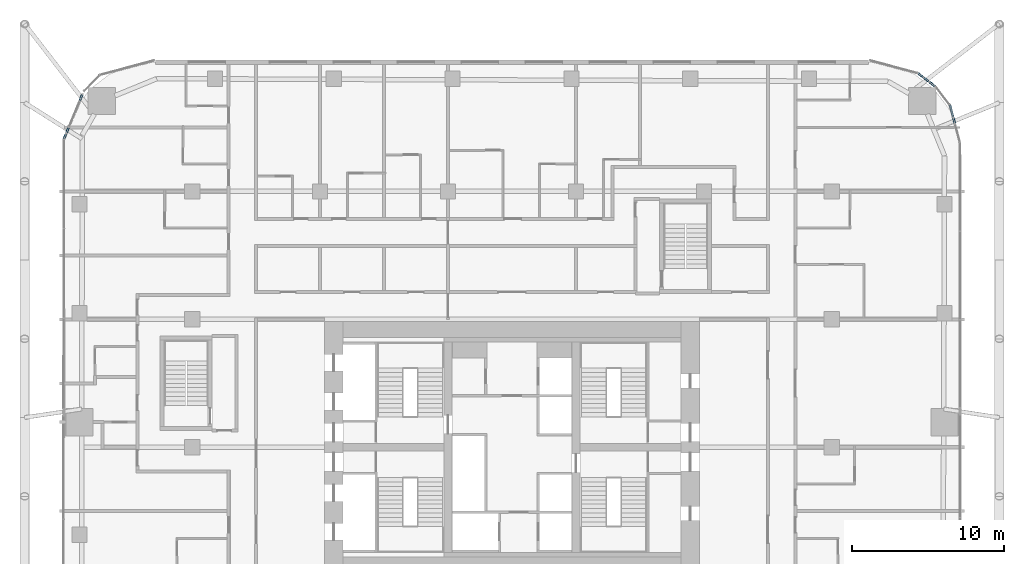
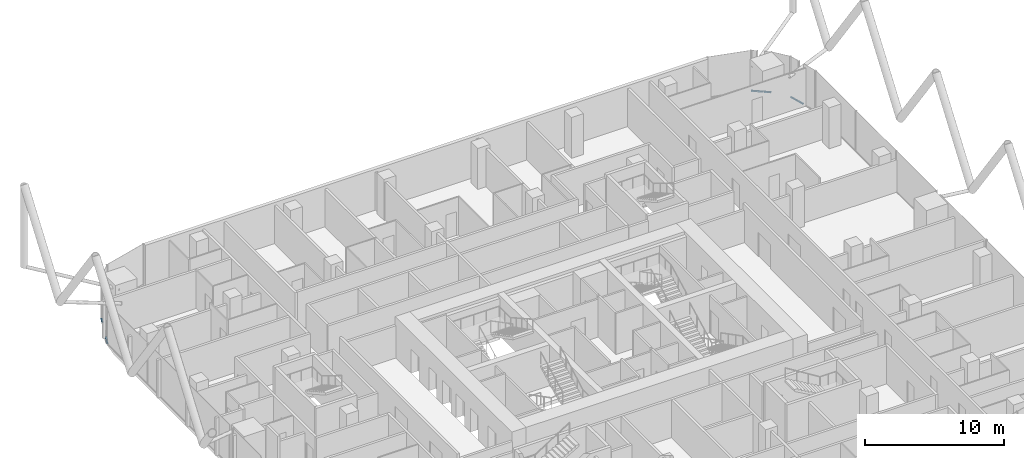
# One storey, part 18 of 38: 8 members, 8 elements without a shape of their own.
"""IFC4 building model written with IfcOpenShell, lengths in metres."""

from ifc_helpers import new_model, si_unit, direction, frame, origin, origin_2d, place, context, subcontext, project, spatial, rectangle, extrude, material, layer, layer_set, material_profile, profile_set, type_object, element, aggregate, save


model = new_model("IFC4")

# Units and contexts
model_context = context("Model", 3, precision=1e-05, world=origin(), true_north=direction((0.0, 1.0)))
body_context = subcontext(model_context, "Body", "Model", "MODEL_VIEW")
ifc_project = project(units=[si_unit("LENGTHUNIT", "METRE"), si_unit("AREAUNIT", "SQUARE_METRE"), si_unit("VOLUMEUNIT", "CUBIC_METRE"), si_unit("PLANEANGLEUNIT", "RADIAN"), si_unit("MASSUNIT", "GRAM", prefix="KILO")], contexts=[model_context])

# Site, building, storey
site_placement = place(None, origin())
site = spatial("IfcSite", under=ifc_project, at=site_placement, CompositionType="ELEMENT")
building_placement = place(site_placement, origin())
building = spatial("IfcBuilding", under=site, at=building_placement, Name="Marenta Gate Hotel Tower", CompositionType="ELEMENT")
storey_placement = place(building_placement, frame((0.0, 0.0, 54.5)))
storey = spatial("IfcBuildingStorey", under=building, at=storey_placement, Name="L11", CompositionType="ELEMENT", Elevation=54.5)

# Curtain wall, member
ifc_material_1 = material(Name="Tinted insulated glass in bronze anodised frame", Category="glass")
ifc_layer = layer(ifc_material_1, 0.1201171875)
ifc_layer_set = layer_set([ifc_layer], Name="Tinted insulated glass in bronze anodised frame")
curtain_wall_type = type_object("IfcCurtainWallType", Name="Tower unitised curtain wall CW1", PredefinedType="NOTDEFINED", material=ifc_layer_set)
curtain_wall_1_placement = place(storey_placement, origin())
curtain_wall_1 = element("IfcCurtainWall", 1, at=curtain_wall_1_placement, inside=storey, type_object=curtain_wall_type, Name="CW1 run G02", PredefinedType="NOTDEFINED")
ifc_material_2 = material(Name="Bronze anodised aluminium", Category="aluminium")
ifc_material_profile = material_profile(ifc_material_2, rectangle(XDim=0.1201171875, YDim=0.06005859375, at=origin_2d()), Name="Transom CW1 60x120 bronze anodised aluminium")
ifc_profile_set = profile_set([ifc_material_profile], Name="Bronze anodised aluminium")
member_type = type_object("IfcMemberType", Name="Transom CW1 60x120 bronze anodised aluminium", PredefinedType="USERDEFINED", material=ifc_profile_set)
member_1_placement = place(storey_placement, frame((-28.208984375, 31.5712890625, 0.030029296875), z_axis=(-0.382927081121, -0.923778572248, 0.0), x_axis=(0.923778572248, -0.382927081121, 0.0)))
member_1 = element("IfcMember", 2, at=member_1_placement, type_object=member_type, Name="CW1 transom 1.1", ObjectType="TRANSOM", PredefinedType="USERDEFINED", context=body_context, shape_type="SweptSolid", body=[
    extrude(rectangle(XDim=0.1201171875, YDim=0.06005859375, at=origin_2d()), origin(), (0.0, 0.0, 1.0), 0.462158203125),
])
aggregate(curtain_wall_1, [member_1])

curtain_wall_2_placement = place(storey_placement, origin())
curtain_wall_2 = element("IfcCurtainWall", 3, at=curtain_wall_2_placement, inside=storey, type_object=curtain_wall_type, Name="CW1 run G04", PredefinedType="NOTDEFINED")
member_2_placement = place(storey_placement, frame((-29.108154296875, 29.400390625, 0.030029296875), z_axis=(-0.382837108959, -0.923815862607, 0.0), x_axis=(0.923815862607, -0.382837108959, 0.0)))
member_2 = element("IfcMember", 4, at=member_2_placement, type_object=member_type, Name="CW1 transom 1.1", ObjectType="TRANSOM", PredefinedType="USERDEFINED", context=body_context, shape_type="SweptSolid", body=[
    extrude(rectangle(XDim=0.1201171875, YDim=0.06005859375, at=origin_2d()), origin(), (0.0, 0.0, 1.0), 0.39990234375),
])
aggregate(curtain_wall_2, [member_2])

curtain_wall_3_placement = place(storey_placement, origin())
curtain_wall_3 = element("IfcCurtainWall", 5, at=curtain_wall_3_placement, inside=storey, type_object=curtain_wall_type, Name="CW1 run G05", PredefinedType="NOTDEFINED")
member_3_placement = place(storey_placement, frame((-29.2841796875, 28.9755859375, 0.030029296875), z_axis=(-0.382802560388, -0.92383017907, 0.0), x_axis=(0.92383017907, -0.382802560388, 0.0)))
member_3 = element("IfcMember", 6, at=member_3_placement, type_object=member_type, Name="CW1 transom 1.1", ObjectType="TRANSOM", PredefinedType="USERDEFINED", context=body_context, shape_type="SweptSolid", body=[
    extrude(rectangle(XDim=0.1201171875, YDim=0.06005859375, at=origin_2d()), origin(), (0.0, 0.0, 1.0), 0.334716796875),
])
aggregate(curtain_wall_3, [member_3])

curtain_wall_4_placement = place(storey_placement, origin())
curtain_wall_4 = element("IfcCurtainWall", 7, at=curtain_wall_4_placement, inside=storey, type_object=curtain_wall_type, Name="CW1 run G36", PredefinedType="NOTDEFINED")
member_4_placement = place(storey_placement, frame((29.075927734375, 29.653564453125, 0.030029296875), z_axis=(-0.258582209755, 0.965989255012, 0.0), x_axis=(-0.965989255012, -0.258582209755, 0.0)))
member_4 = element("IfcMember", 8, at=member_4_placement, type_object=member_type, Name="CW1 transom 1.1", ObjectType="TRANSOM", PredefinedType="USERDEFINED", context=body_context, shape_type="SweptSolid", body=[
    extrude(rectangle(XDim=0.1201171875, YDim=0.06005859375, at=origin_2d()), origin(), (0.0, 0.0, 1.0), 0.396484375),
])
aggregate(curtain_wall_4, [member_4])

curtain_wall_5_placement = place(storey_placement, origin())
curtain_wall_5 = element("IfcCurtainWall", 9, at=curtain_wall_5_placement, inside=storey, type_object=curtain_wall_type, Name="CW1 run G37", PredefinedType="NOTDEFINED")
member_5_placement = place(storey_placement, frame((28.957763671875, 30.094482421875, 0.030029296875), z_axis=(-0.258919656878, 0.965898861829, 0.0), x_axis=(-0.965898861829, -0.258919656878, 0.0)))
member_5 = element("IfcMember", 10, at=member_5_placement, type_object=member_type, Name="CW1 transom 1.1", ObjectType="TRANSOM", PredefinedType="USERDEFINED", context=body_context, shape_type="SweptSolid", body=[
    extrude(rectangle(XDim=0.1201171875, YDim=0.06005859375, at=origin_2d()), origin(), (0.0, 0.0, 1.0), 0.797607421875),
])
aggregate(curtain_wall_5, [member_5])

curtain_wall_6_placement = place(storey_placement, origin())
curtain_wall_6 = element("IfcCurtainWall", 11, at=curtain_wall_6_placement, inside=storey, type_object=curtain_wall_type, Name="CW1 run G39", PredefinedType="NOTDEFINED")
member_6_placement = place(storey_placement, frame((27.7978515625, 32.08203125, 0.030029296875), z_axis=(-0.793224248978, 0.60892962716, 0.0), x_axis=(-0.60892962716, -0.793224248978, 0.0)))
member_6 = element("IfcMember", 12, at=member_6_placement, type_object=member_type, Name="CW1 transom 1.1", ObjectType="TRANSOM", PredefinedType="USERDEFINED", context=body_context, shape_type="SweptSolid", body=[
    extrude(rectangle(XDim=0.1201171875, YDim=0.06005859375, at=origin_2d()), origin(), (0.0, 0.0, 1.0), 0.483642578125),
])
aggregate(curtain_wall_6, [member_6])

curtain_wall_7_placement = place(storey_placement, origin())
curtain_wall_7 = element("IfcCurtainWall", 13, at=curtain_wall_7_placement, inside=storey, type_object=curtain_wall_type, Name="CW1 run G40", PredefinedType="NOTDEFINED")
member_7_placement = place(storey_placement, frame((27.36669921875, 32.412841796875, 0.030029296875), z_axis=(-0.793356294792, 0.608757578609, 0.0), x_axis=(-0.608757578609, -0.793356294792, 0.0)))
member_7 = element("IfcMember", 14, at=member_7_placement, type_object=member_type, Name="CW1 transom 1.1", ObjectType="TRANSOM", PredefinedType="USERDEFINED", context=body_context, shape_type="SweptSolid", body=[
    extrude(rectangle(XDim=0.1201171875, YDim=0.06005859375, at=origin_2d()), origin(), (0.0, 0.0, 1.0), 0.40869140625),
])
aggregate(curtain_wall_7, [member_7])

curtain_wall_8_placement = place(storey_placement, origin())
curtain_wall_8 = element("IfcCurtainWall", 15, at=curtain_wall_8_placement, inside=storey, type_object=curtain_wall_type, Name="CW1 run G41", PredefinedType="NOTDEFINED")
member_8_placement = place(storey_placement, frame((26.994873046875, 32.6982421875, 0.030029296875), z_axis=(-0.793256562422, 0.60888753163, 0.0), x_axis=(-0.60888753163, -0.793256562422, 0.0)))
member_8 = element("IfcMember", 16, at=member_8_placement, type_object=member_type, Name="CW1 transom 1.1", ObjectType="TRANSOM", PredefinedType="USERDEFINED", context=body_context, shape_type="SweptSolid", body=[
    extrude(rectangle(XDim=0.1201171875, YDim=0.06005859375, at=origin_2d()), origin(), (0.0, 0.0, 1.0), 0.415771484375),
])
aggregate(curtain_wall_8, [member_8])

save(model, "model.ifc")
